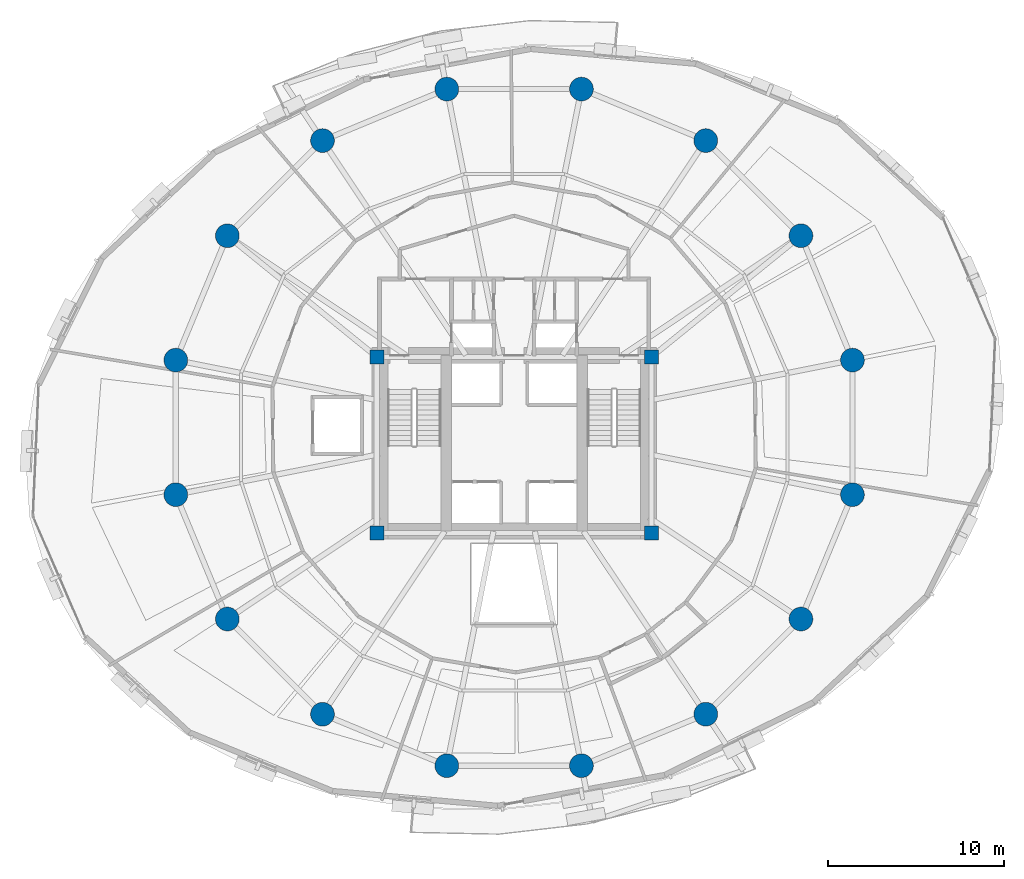
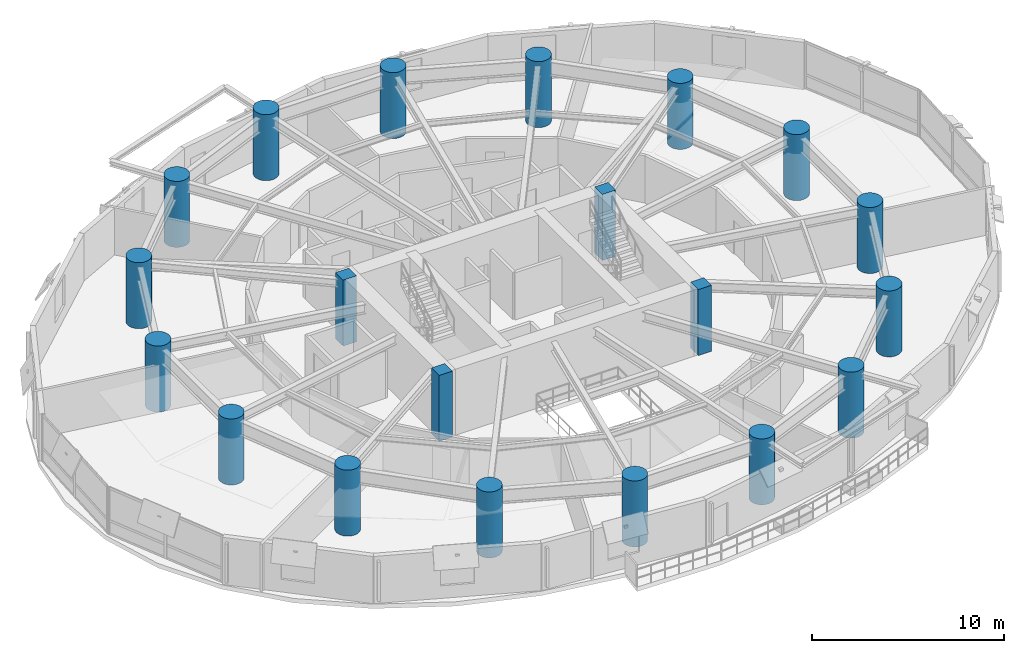
# One storey, part 1 of 17: 20 columns.
"""IFC4 building model written with IfcOpenShell, lengths in metres."""

from ifc_helpers import new_model, si_unit, direction, frame, origin, origin_2d, place, context, subcontext, project, spatial, rectangle, circle, extrude, material, material_profile, profile_set, type_object, element, save


model = new_model("IFC4")

# Units and contexts
model_context = context("Model", 3, precision=1e-05, world=origin(), true_north=direction((0.0, 1.0)))
body_context = subcontext(model_context, "Body", "Model", "MODEL_VIEW")
ifc_project = project(units=[si_unit("LENGTHUNIT", "METRE"), si_unit("AREAUNIT", "SQUARE_METRE"), si_unit("VOLUMEUNIT", "CUBIC_METRE"), si_unit("PLANEANGLEUNIT", "RADIAN"), si_unit("MASSUNIT", "GRAM", prefix="KILO"), si_unit("THERMODYNAMICTEMPERATUREUNIT", "KELVIN"), si_unit("POWERUNIT", "WATT")], contexts=[model_context])

# Site, building, storey
site_placement = place(None, origin())
site = spatial("IfcSite", under=ifc_project, at=site_placement, CompositionType="ELEMENT")
building_placement = place(site_placement, origin())
building = spatial("IfcBuilding", under=site, at=building_placement, Name="Ocrelia Relay Tower", CompositionType="ELEMENT")
storey_placement = place(building_placement, frame((0.0, 0.0, 76.199951171875)))
storey = spatial("IfcBuildingStorey", under=building, at=storey_placement, Name="L17", CompositionType="ELEMENT", Elevation=76.199951171875)

# Columns
ifc_material_1 = material(Name="Concrete C70/85", Category="concrete")
ifc_material_profile_1 = material_profile(ifc_material_1, circle(Radius=0.675048828125, at=origin_2d()), Name="RC-CIR-1350")
ifc_profile_set_1 = profile_set([ifc_material_profile_1], Name="Concrete C70/85")
column_type_1 = type_object("IfcColumnType", Name="COL-CT-1350", PredefinedType="COLUMN", material=ifc_profile_set_1)
for number, where, z_axis, x_axis, name in (
    (1, (53.223388671875, 29.82373046875, 0.0), (0.0, 0.0, 1.0), (1.0, 0.0, 0.0), "L17 Perimeter Ring Column C01"),
    (2, (50.296875, 36.88916015625, 0.0), (0.0, 0.0, 1.0), (1.0, 0.0, 0.0), "L17 Perimeter Ring Column C02"),
    (3, (44.88916015625, 42.296875, 0.0), (0.0, 0.0, 1.0), (1.0, 0.0, 0.0), "L17 Perimeter Ring Column C03"),
    (4, (37.82373046875, 45.223388671875, 0.0), (0.0, 0.0, 1.0), (1.0, 0.0, 0.0), "L17 Perimeter Ring Column C04"),
    (5, (30.17626953125, 45.223388671875, 0.0), (0.0, 0.0, 1.0), (1.0, 0.0, 0.0), "L17 Perimeter Ring Column C05"),
    (6, (23.11083984375, 42.296875, 0.0), (0.0, 0.0, 1.0), (1.0, 0.0, 0.0), "L17 Perimeter Ring Column C06"),
    (7, (17.703125, 36.88916015625, 0.0), (0.0, 0.0, 1.0), (1.0, 0.0, 0.0), "L17 Perimeter Ring Column C07"),
    (8, (14.776611328125, 29.82373046875, 0.0), (0.0, 0.0, 1.0), (1.0, 0.0, 0.0), "L17 Perimeter Ring Column C08"),
    (9, (14.776611328125, 22.17626953125, 0.0), (0.0, 0.0, 1.0), (1.0, 0.0, 0.0), "L17 Perimeter Ring Column C09"),
    (10, (17.703125, 15.11083984375, 0.0), (0.0, 0.0, 1.0), (1.0, 0.0, 0.0), "L17 Perimeter Ring Column C10"),
    (11, (23.11083984375, 9.703125, 0.0), (0.0, 0.0, 1.0), (1.0, 0.0, 0.0), "L17 Perimeter Ring Column C11"),
    (12, (30.17626953125, 6.776611328125, 0.0), (0.0, 0.0, 1.0), (1.0, 0.0, 0.0), "L17 Perimeter Ring Column C12"),
    (13, (37.82373046875, 6.776611328125, 0.0), (0.0, 0.0, 1.0), (1.0, 0.0, 0.0), "L17 Perimeter Ring Column C13"),
    (14, (44.88916015625, 9.703125, 0.0), (0.0, 0.0, 1.0), (1.0, 0.0, 0.0), "L17 Perimeter Ring Column C14"),
    (15, (50.296875, 15.11083984375, 0.0), (0.0, 0.0, 1.0), (1.0, 0.0, 0.0), "L17 Perimeter Ring Column C15"),
    (16, (53.223388671875, 22.17626953125, 0.0), (0.0, 0.0, 1.0), (1.0, 0.0, 0.0), "L17 Perimeter Ring Column C16"),
):
    element("IfcColumn", number, at=place(storey_placement, frame(where, z_axis=z_axis, x_axis=x_axis)), inside=storey, type_object=column_type_1, Name=name, PredefinedType="COLUMN", context=body_context, shape_type="SweptSolid", body=[
        extrude(circle(Radius=0.675048828125, at=origin_2d()), origin(), (0.0, 0.0, 1.0), 4.199951171875),
    ])
ifc_material_2 = material(Name="Concrete C60/75", Category="concrete")
ifc_material_profile_2 = material_profile(ifc_material_2, rectangle(XDim=0.800048828125, YDim=0.800048828125, at=origin_2d()), Name="RC-COL-800x800")
ifc_profile_set_2 = profile_set([ifc_material_profile_2], Name="Concrete C60/75")
column_type_2 = type_object("IfcColumnType", Name="COL-PILASTER-800", PredefinedType="PILASTER", material=ifc_profile_set_2)
for number, where, z_axis, x_axis, name in (
    (17, (26.199951171875, 20.0, 0.0), (0.0, 0.0, 1.0), (1.0, 0.0, 0.0), "L17 Core Corner Pilaster SW"),
    (18, (41.800048828125, 20.0, 0.0), (0.0, 0.0, 1.0), (1.0, 0.0, 0.0), "L17 Core Corner Pilaster SE"),
    (19, (26.199951171875, 30.0, 0.0), (0.0, 0.0, 1.0), (1.0, 0.0, 0.0), "L17 Core Corner Pilaster NW"),
    (20, (41.800048828125, 30.0, 0.0), (0.0, 0.0, 1.0), (1.0, 0.0, 0.0), "L17 Core Corner Pilaster NE"),
):
    element("IfcColumn", number, at=place(storey_placement, frame(where, z_axis=z_axis, x_axis=x_axis)), inside=storey, type_object=column_type_2, Name=name, PredefinedType="PILASTER", context=body_context, shape_type="SweptSolid", body=[
        extrude(rectangle(XDim=0.800048828125, YDim=0.800048828125, at=origin_2d()), origin(), (0.0, 0.0, 1.0), 4.199951171875),
    ])

save(model, "model.ifc")
